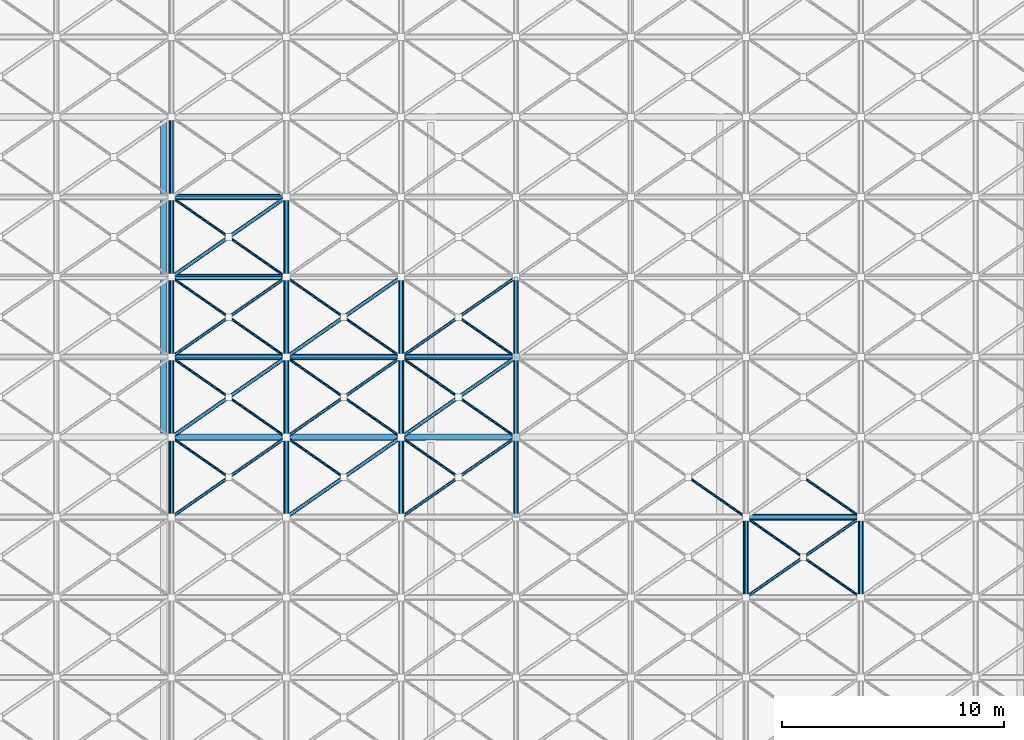
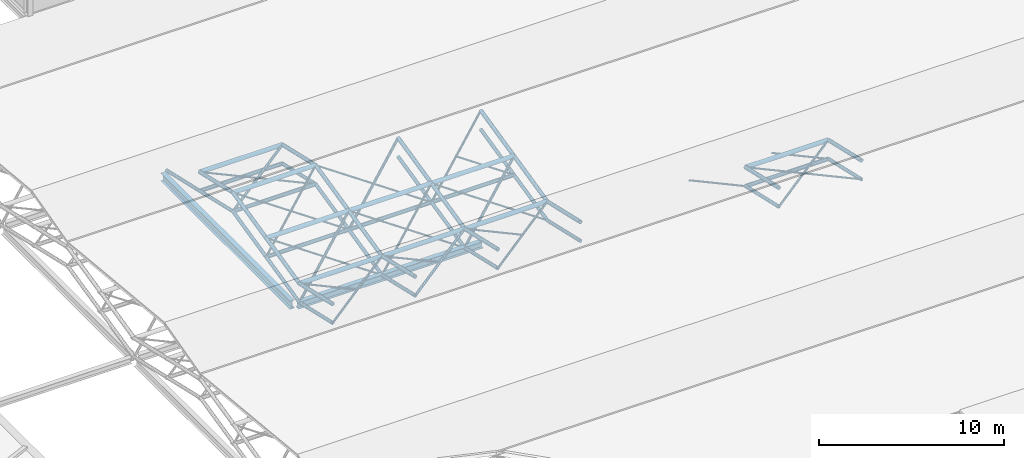
# One storey, part 40 of 110: 79 members, 2 beams.
"""IFC4 building model written with IfcOpenShell, lengths in metres."""

from ifc_helpers import new_model, si_unit, direction, frame, origin, origin_2d, place, context, subcontext, project, spatial, hollow_circle, i_section, extrude, material, material_profile, profile_set, type_object, element, save


model = new_model("IFC4")

# Units and contexts
model_context = context("Model", 3, precision=1e-05, world=origin(), true_north=direction((0.0, 1.0)))
body_context = subcontext(model_context, "Body", "Model", "MODEL_VIEW")
ifc_project = project(units=[si_unit("LENGTHUNIT", "METRE"), si_unit("AREAUNIT", "SQUARE_METRE"), si_unit("VOLUMEUNIT", "CUBIC_METRE"), si_unit("PLANEANGLEUNIT", "RADIAN"), si_unit("MASSUNIT", "GRAM", prefix="KILO")], contexts=[model_context])

# Site, building, storey
site_placement = place(None, origin())
site = spatial("IfcSite", under=ifc_project, at=site_placement, CompositionType="ELEMENT")
building_placement = place(site_placement, origin())
building = spatial("IfcBuilding", under=site, at=building_placement, Name="Tamarisk Ironworks Central Station", CompositionType="ELEMENT")
storey_placement = place(building_placement, frame((0.0, 0.0, 17.39990234375)))
storey = spatial("IfcBuildingStorey", under=building, at=storey_placement, Name="L03", CompositionType="ELEMENT", Elevation=17.39990234375)

# Beams
ifc_material_1 = material(Name="Structural steel S355J2", Category="steel")
ifc_material_profile_1 = material_profile(ifc_material_1, i_section(OverallWidth=0.300048828125, OverallDepth=0.5400390625, WebThickness=0.012451171875, FlangeThickness=0.02392578125, at=origin_2d()), Name="HEA 550")
ifc_profile_set_1 = profile_set([ifc_material_profile_1], Name="Structural steel S355J2")
beam_type_1 = type_object("IfcBeamType", Name="BM-G04", PredefinedType="BEAM", material=ifc_profile_set_1)
beam_1_placement = place(storey_placement, frame((128.0, 50.59130859375, -1.869873046875), z_axis=(0.0, 1.0, 0.0), x_axis=(-1.0, 0.0, 0.0)))
element("IfcBeam", 1, at=beam_1_placement, inside=storey, type_object=beam_type_1, Name="L03 primary girder Y-0612", PredefinedType="BEAM", context=body_context, shape_type="SweptSolid", body=[
    extrude(i_section(OverallWidth=0.300048828125, OverallDepth=0.5400390625, WebThickness=0.012451171875, FlangeThickness=0.02392578125, at=origin_2d()), origin(), (0.0, 0.0, 1.0), 14.017578125),
])
ifc_material_profile_2 = material_profile(ifc_material_1, i_section(OverallWidth=0.300048828125, OverallDepth=0.43994140625, WebThickness=0.011474609375, FlangeThickness=0.02099609375, at=origin_2d()), Name="HEA 450")
ifc_profile_set_2 = profile_set([ifc_material_profile_2], Name="Structural steel S355J2")
beam_type_2 = type_object("IfcBeamType", Name="BM-G06", PredefinedType="BEAM", material=ifc_profile_set_2)
beam_2_placement = place(storey_placement, frame((128.191162109375, 50.39990234375, -1.81982421875), z_axis=(1.0, 0.0, 0.0), x_axis=(0.0, 1.0, 0.0)))
element("IfcBeam", 2, at=beam_2_placement, inside=storey, type_object=beam_type_2, Name="L03 primary girder X-0563", PredefinedType="BEAM", context=body_context, shape_type="SweptSolid", body=[
    extrude(i_section(OverallWidth=0.300048828125, OverallDepth=0.43994140625, WebThickness=0.011474609375, FlangeThickness=0.02099609375, at=origin_2d()), origin(), (0.0, 0.0, 1.0), 11.56689453125),
])

# Members
ifc_material_2 = material(Name="Structural steel S355J2H", Category="steel")
ifc_material_profile_3 = material_profile(ifc_material_2, hollow_circle(Radius=0.136474609375, WallThickness=0.012451171875, at=origin_2d()), Name="CHS 273x12.5")
ifc_profile_set_3 = profile_set([ifc_material_profile_3], Name="Structural steel S355J2H")
member_type_1 = type_object("IfcMemberType", Name="MB-SFC01", PredefinedType="CHORD", material=ifc_profile_set_3)
member_1_placement = place(storey_placement, frame((154.166748046875, 46.800048828125, 0.35498046875), z_axis=(1.0, 0.0, 0.0), x_axis=(0.0, 1.0, 0.0)))
element("IfcMember", 3, at=member_1_placement, inside=storey, type_object=member_type_1, Name="Train shed space-frame top chord 1378", PredefinedType="CHORD", context=body_context, shape_type="SweptSolid", body=[
    extrude(hollow_circle(Radius=0.136474609375, WallThickness=0.012451171875, at=origin_2d()), origin(), (0.0, 0.0, 1.0), 5.16650390625),
])
for number, where, z_axis, x_axis, name in (
    (4, (128.333251953125, 50.39990234375, -0.469970703125), (1.0, 0.0, 0.0), (0.0, 1.0, 0.0), "Train shed space-frame top chord 1385"),
    (5, (133.5, 50.39990234375, -0.469970703125), (1.0, 0.0, 0.0), (0.0, 1.0, 0.0), "Train shed space-frame top chord 1386"),
):
    element("IfcMember", number, at=place(storey_placement, frame(where, z_axis=z_axis, x_axis=x_axis)), inside=storey, type_object=member_type_1, Name=name, PredefinedType="CHORD", context=body_context, shape_type="SweptSolid", body=[
        extrude(hollow_circle(Radius=0.136474609375, WallThickness=0.012451171875, at=origin_2d()), origin(), (0.0, 0.0, 1.0), 5.166748046875),
    ])
member_2_placement = place(storey_placement, frame((138.666748046875, 50.39990234375, -0.469970703125), z_axis=(1.0, 0.0, 0.0), x_axis=(0.0, 1.0, 0.0)))
element("IfcMember", 6, at=member_2_placement, inside=storey, type_object=member_type_1, Name="Train shed space-frame top chord 1387", PredefinedType="CHORD", context=body_context, shape_type="SweptSolid", body=[
    extrude(hollow_circle(Radius=0.136474609375, WallThickness=0.012451171875, at=origin_2d()), origin(), (0.0, 0.0, 1.0), 5.16650390625),
])
for number, where, z_axis, x_axis, name in (
    (7, (128.333251953125, 54.0, 0.35498046875), (1.0, 0.0, 0.0), (0.0, 1.0, 0.0), "Train shed space-frame top chord 1633"),
    (8, (133.5, 54.0, 0.35498046875), (1.0, 0.0, 0.0), (0.0, 1.0, 0.0), "Train shed space-frame top chord 1634"),
):
    element("IfcMember", number, at=place(storey_placement, frame(where, z_axis=z_axis, x_axis=x_axis)), inside=storey, type_object=member_type_1, Name=name, PredefinedType="CHORD", context=body_context, shape_type="SweptSolid", body=[
        extrude(hollow_circle(Radius=0.136474609375, WallThickness=0.012451171875, at=origin_2d()), origin(), (0.0, 0.0, 1.0), 5.166748046875),
    ])
member_3_placement = place(storey_placement, frame((138.666748046875, 54.0, 0.35498046875), z_axis=(1.0, 0.0, 0.0), x_axis=(0.0, 1.0, 0.0)))
element("IfcMember", 9, at=member_3_placement, inside=storey, type_object=member_type_1, Name="Train shed space-frame top chord 1635", PredefinedType="CHORD", context=body_context, shape_type="SweptSolid", body=[
    extrude(hollow_circle(Radius=0.136474609375, WallThickness=0.012451171875, at=origin_2d()), origin(), (0.0, 0.0, 1.0), 5.16650390625),
])
for number, where, z_axis, x_axis, name in (
    (10, (128.333251953125, 57.60009765625, 1.18017578125), (1.0, 0.0, 0.0), (0.0, 1.0, 0.0), "Train shed space-frame top chord 1645"),
    (11, (128.333251953125, 61.199951171875, 0.35498046875), (1.0, 0.0, 0.0), (0.0, 1.0, 0.0), "Train shed space-frame top chord 1657"),
):
    element("IfcMember", number, at=place(storey_placement, frame(where, z_axis=z_axis, x_axis=x_axis)), inside=storey, type_object=member_type_1, Name=name, PredefinedType="CHORD", context=body_context, shape_type="SweptSolid", body=[
        extrude(hollow_circle(Radius=0.136474609375, WallThickness=0.012451171875, at=origin_2d()), origin(), (0.0, 0.0, 1.0), 5.166748046875),
    ])
ifc_material_profile_4 = material_profile(ifc_material_2, hollow_circle(Radius=0.122314453125, WallThickness=0.012451171875, at=origin_2d()), Name="CHS 244.5x12.5")
ifc_profile_set_4 = profile_set([ifc_material_profile_4], Name="Structural steel S355J2H")
member_type_2 = type_object("IfcMemberType", Name="MB-SFC02", PredefinedType="CHORD", material=ifc_profile_set_4)
member_4_placement = place(storey_placement, frame((154.166748046875, 46.800048828125, -0.89501953125), z_axis=(1.0, 0.0, 0.0), x_axis=(0.0, 1.0, 0.0)))
element("IfcMember", 12, at=member_4_placement, inside=storey, type_object=member_type_2, Name="Train shed space-frame bottom chord 1290", PredefinedType="CHORD", context=body_context, shape_type="SweptSolid", body=[
    extrude(hollow_circle(Radius=0.122314453125, WallThickness=0.012451171875, at=origin_2d()), origin(), (0.0, 0.0, 1.0), 5.16650390625),
])
for number, where, z_axis, x_axis, name in (
    (13, (128.333251953125, 46.800048828125, 0.35498046875), (0.0, 0.974733218107, -0.223372230857), (-1.0, 0.0, 0.0), "Train shed space-frame top transverse chord 1406"),
    (14, (133.5, 46.800048828125, 0.35498046875), (0.0, 0.974733218107, -0.223372230857), (-1.0, 0.0, 0.0), "Train shed space-frame top transverse chord 1410"),
    (15, (138.666748046875, 46.800048828125, 0.35498046875), (0.0, 0.974733218107, -0.223372230857), (-1.0, 0.0, 0.0), "Train shed space-frame top transverse chord 1414"),
    (16, (143.833251953125, 46.800048828125, 0.35498046875), (0.0, 0.974733218107, -0.223372230857), (-1.0, 0.0, 0.0), "Train shed space-frame top transverse chord 1418"),
):
    element("IfcMember", number, at=place(storey_placement, frame(where, z_axis=z_axis, x_axis=x_axis)), inside=storey, type_object=member_type_2, Name=name, PredefinedType="CHORD", context=body_context, shape_type="SweptSolid", body=[
        extrude(hollow_circle(Radius=0.122314453125, WallThickness=0.012451171875, at=origin_2d()), origin(), (0.0, 0.0, 1.0), 3.693115234375),
    ])
for number, where, z_axis, x_axis, name in (
    (17, (154.166748046875, 43.199951171875, 1.18017578125), (0.0, 0.974722123001, -0.223420641241), (-1.0, 0.0, 0.0), "Train shed space-frame top transverse chord 1425"),
    (18, (159.333251953125, 43.199951171875, 1.18017578125), (0.0, 0.974722123001, -0.223420641241), (-1.0, 0.0, 0.0), "Train shed space-frame top transverse chord 1429"),
):
    element("IfcMember", number, at=place(storey_placement, frame(where, z_axis=z_axis, x_axis=x_axis)), inside=storey, type_object=member_type_2, Name=name, PredefinedType="CHORD", context=body_context, shape_type="SweptSolid", body=[
        extrude(hollow_circle(Radius=0.122314453125, WallThickness=0.012451171875, at=origin_2d()), origin(), (0.0, 0.0, 1.0), 3.693359375),
    ])
for number, where, z_axis, x_axis, name in (
    (19, (128.333251953125, 54.0, -0.89501953125), (1.0, 0.0, 0.0), (0.0, 1.0, 0.0), "Train shed space-frame bottom chord 1545"),
    (20, (133.5, 54.0, -0.89501953125), (1.0, 0.0, 0.0), (0.0, 1.0, 0.0), "Train shed space-frame bottom chord 1546"),
):
    element("IfcMember", number, at=place(storey_placement, frame(where, z_axis=z_axis, x_axis=x_axis)), inside=storey, type_object=member_type_2, Name=name, PredefinedType="CHORD", context=body_context, shape_type="SweptSolid", body=[
        extrude(hollow_circle(Radius=0.122314453125, WallThickness=0.012451171875, at=origin_2d()), origin(), (0.0, 0.0, 1.0), 5.166748046875),
    ])
member_5_placement = place(storey_placement, frame((138.666748046875, 54.0, -0.89501953125), z_axis=(1.0, 0.0, 0.0), x_axis=(0.0, 1.0, 0.0)))
element("IfcMember", 21, at=member_5_placement, inside=storey, type_object=member_type_2, Name="Train shed space-frame bottom chord 1547", PredefinedType="CHORD", context=body_context, shape_type="SweptSolid", body=[
    extrude(hollow_circle(Radius=0.122314453125, WallThickness=0.012451171875, at=origin_2d()), origin(), (0.0, 0.0, 1.0), 5.16650390625),
])
for number, where, z_axis, x_axis, name in (
    (22, (128.333251953125, 57.60009765625, -0.06982421875), (1.0, 0.0, 0.0), (0.0, 1.0, 0.0), "Train shed space-frame bottom chord 1557"),
    (23, (128.333251953125, 61.199951171875, -0.89501953125), (1.0, 0.0, 0.0), (0.0, 1.0, 0.0), "Train shed space-frame bottom chord 1569"),
):
    element("IfcMember", number, at=place(storey_placement, frame(where, z_axis=z_axis, x_axis=x_axis)), inside=storey, type_object=member_type_2, Name=name, PredefinedType="CHORD", context=body_context, shape_type="SweptSolid", body=[
        extrude(hollow_circle(Radius=0.122314453125, WallThickness=0.012451171875, at=origin_2d()), origin(), (0.0, 0.0, 1.0), 5.166748046875),
    ])
for number, where, z_axis, x_axis, name in (
    (24, (128.333251953125, 50.39990234375, -0.469970703125), (0.0, 0.974736516158, 0.223357838607), (-1.0, 0.0, 0.0), "Train shed space-frame top transverse chord 1687"),
    (25, (128.333251953125, 54.0, 0.35498046875), (0.0, 0.974722123001, 0.223420641241), (-1.0, 0.0, 0.0), "Train shed space-frame top transverse chord 1688"),
):
    element("IfcMember", number, at=place(storey_placement, frame(where, z_axis=z_axis, x_axis=x_axis)), inside=storey, type_object=member_type_2, Name=name, PredefinedType="CHORD", context=body_context, shape_type="SweptSolid", body=[
        extrude(hollow_circle(Radius=0.122314453125, WallThickness=0.012451171875, at=origin_2d()), origin(), (0.0, 0.0, 1.0), 3.693359375),
    ])
member_6_placement = place(storey_placement, frame((128.333251953125, 57.60009765625, 1.18017578125), z_axis=(0.0, 0.974718823144, -0.223435037113), x_axis=(-1.0, 0.0, 0.0)))
element("IfcMember", 26, at=member_6_placement, inside=storey, type_object=member_type_2, Name="Train shed space-frame top transverse chord 1689", PredefinedType="CHORD", context=body_context, shape_type="SweptSolid", body=[
    extrude(hollow_circle(Radius=0.122314453125, WallThickness=0.012451171875, at=origin_2d()), origin(), (0.0, 0.0, 1.0), 3.693115234375),
])
for number, where, z_axis, x_axis, name in (
    (27, (133.5, 50.39990234375, -0.469970703125), (0.0, 0.974736516158, 0.223357838607), (-1.0, 0.0, 0.0), "Train shed space-frame top transverse chord 1691"),
    (28, (133.5, 54.0, 0.35498046875), (0.0, 0.974722123001, 0.223420641241), (-1.0, 0.0, 0.0), "Train shed space-frame top transverse chord 1692"),
):
    element("IfcMember", number, at=place(storey_placement, frame(where, z_axis=z_axis, x_axis=x_axis)), inside=storey, type_object=member_type_2, Name=name, PredefinedType="CHORD", context=body_context, shape_type="SweptSolid", body=[
        extrude(hollow_circle(Radius=0.122314453125, WallThickness=0.012451171875, at=origin_2d()), origin(), (0.0, 0.0, 1.0), 3.693359375),
    ])
member_7_placement = place(storey_placement, frame((133.5, 57.60009765625, 1.18017578125), z_axis=(0.0, 0.974718823144, -0.223435037113), x_axis=(-1.0, 0.0, 0.0)))
element("IfcMember", 29, at=member_7_placement, inside=storey, type_object=member_type_2, Name="Train shed space-frame top transverse chord 1693", PredefinedType="CHORD", context=body_context, shape_type="SweptSolid", body=[
    extrude(hollow_circle(Radius=0.122314453125, WallThickness=0.012451171875, at=origin_2d()), origin(), (0.0, 0.0, 1.0), 3.693115234375),
])
for number, where, z_axis, x_axis, name in (
    (30, (138.666748046875, 50.39990234375, -0.469970703125), (0.0, 0.974736516158, 0.223357838607), (-1.0, 0.0, 0.0), "Train shed space-frame top transverse chord 1695"),
    (31, (138.666748046875, 54.0, 0.35498046875), (0.0, 0.974722123001, 0.223420641241), (-1.0, 0.0, 0.0), "Train shed space-frame top transverse chord 1696"),
    (32, (143.833251953125, 50.39990234375, -0.469970703125), (0.0, 0.974736516158, 0.223357838607), (-1.0, 0.0, 0.0), "Train shed space-frame top transverse chord 1699"),
    (33, (143.833251953125, 54.0, 0.35498046875), (0.0, 0.974722123001, 0.223420641241), (-1.0, 0.0, 0.0), "Train shed space-frame top transverse chord 1700"),
):
    element("IfcMember", number, at=place(storey_placement, frame(where, z_axis=z_axis, x_axis=x_axis)), inside=storey, type_object=member_type_2, Name=name, PredefinedType="CHORD", context=body_context, shape_type="SweptSolid", body=[
        extrude(hollow_circle(Radius=0.122314453125, WallThickness=0.012451171875, at=origin_2d()), origin(), (0.0, 0.0, 1.0), 3.693359375),
    ])
ifc_material_profile_5 = material_profile(ifc_material_2, hollow_circle(Radius=0.109619140625, WallThickness=0.010009765625, at=origin_2d()), Name="CHS 219.1x10")
ifc_profile_set_5 = profile_set([ifc_material_profile_5], Name="Structural steel S355J2H")
member_type_3 = type_object("IfcMemberType", Name="MB-SFC03", PredefinedType="CHORD", material=ifc_profile_set_5)
for number, where, z_axis, x_axis, name in (
    (34, (128.333251953125, 46.800048828125, -0.89501953125), (0.0, 0.974733218107, -0.223372230857), (-1.0, 0.0, 0.0), "Train shed space-frame transverse chord 1306"),
    (35, (133.5, 46.800048828125, -0.89501953125), (0.0, 0.974733218107, -0.223372230857), (-1.0, 0.0, 0.0), "Train shed space-frame transverse chord 1310"),
    (36, (138.666748046875, 46.800048828125, -0.89501953125), (0.0, 0.974733218107, -0.223372230857), (-1.0, 0.0, 0.0), "Train shed space-frame transverse chord 1314"),
    (37, (143.833251953125, 46.800048828125, -0.89501953125), (0.0, 0.974733218107, -0.223372230857), (-1.0, 0.0, 0.0), "Train shed space-frame transverse chord 1318"),
):
    element("IfcMember", number, at=place(storey_placement, frame(where, z_axis=z_axis, x_axis=x_axis)), inside=storey, type_object=member_type_3, Name=name, PredefinedType="CHORD", context=body_context, shape_type="SweptSolid", body=[
        extrude(hollow_circle(Radius=0.109619140625, WallThickness=0.010009765625, at=origin_2d()), origin(), (0.0, 0.0, 1.0), 3.693115234375),
    ])
for number, where, z_axis, x_axis, name in (
    (38, (154.166748046875, 43.199951171875, -0.06982421875), (0.0, 0.974722123001, -0.223420641241), (-1.0, 0.0, 0.0), "Train shed space-frame transverse chord 1325"),
    (39, (159.333251953125, 43.199951171875, -0.06982421875), (0.0, 0.974722123001, -0.223420641241), (-1.0, 0.0, 0.0), "Train shed space-frame transverse chord 1329"),
    (40, (128.333251953125, 50.39990234375, -1.719970703125), (0.0, 0.974736516158, 0.223357838607), (-1.0, 0.0, 0.0), "Train shed space-frame transverse chord 1587"),
    (41, (128.333251953125, 54.0, -0.89501953125), (0.0, 0.974722123001, 0.223420641241), (-1.0, 0.0, 0.0), "Train shed space-frame transverse chord 1588"),
):
    element("IfcMember", number, at=place(storey_placement, frame(where, z_axis=z_axis, x_axis=x_axis)), inside=storey, type_object=member_type_3, Name=name, PredefinedType="CHORD", context=body_context, shape_type="SweptSolid", body=[
        extrude(hollow_circle(Radius=0.109619140625, WallThickness=0.010009765625, at=origin_2d()), origin(), (0.0, 0.0, 1.0), 3.693359375),
    ])
member_8_placement = place(storey_placement, frame((128.333251953125, 57.60009765625, -0.06982421875), z_axis=(0.0, 0.974718823144, -0.223435037113), x_axis=(-1.0, 0.0, 0.0)))
element("IfcMember", 42, at=member_8_placement, inside=storey, type_object=member_type_3, Name="Train shed space-frame transverse chord 1589", PredefinedType="CHORD", context=body_context, shape_type="SweptSolid", body=[
    extrude(hollow_circle(Radius=0.109619140625, WallThickness=0.010009765625, at=origin_2d()), origin(), (0.0, 0.0, 1.0), 3.693115234375),
])
for number, where, z_axis, x_axis, name in (
    (43, (128.333251953125, 61.199951171875, -0.89501953125), (0.0, 0.974736516158, -0.223357838607), (-1.0, 0.0, 0.0), "Train shed space-frame transverse chord 1590"),
    (44, (133.5, 50.39990234375, -1.719970703125), (0.0, 0.974736516158, 0.223357838607), (-1.0, 0.0, 0.0), "Train shed space-frame transverse chord 1591"),
    (45, (133.5, 54.0, -0.89501953125), (0.0, 0.974722123001, 0.223420641241), (-1.0, 0.0, 0.0), "Train shed space-frame transverse chord 1592"),
):
    element("IfcMember", number, at=place(storey_placement, frame(where, z_axis=z_axis, x_axis=x_axis)), inside=storey, type_object=member_type_3, Name=name, PredefinedType="CHORD", context=body_context, shape_type="SweptSolid", body=[
        extrude(hollow_circle(Radius=0.109619140625, WallThickness=0.010009765625, at=origin_2d()), origin(), (0.0, 0.0, 1.0), 3.693359375),
    ])
member_9_placement = place(storey_placement, frame((133.5, 57.60009765625, -0.06982421875), z_axis=(0.0, 0.974718823144, -0.223435037113), x_axis=(-1.0, 0.0, 0.0)))
element("IfcMember", 46, at=member_9_placement, inside=storey, type_object=member_type_3, Name="Train shed space-frame transverse chord 1593", PredefinedType="CHORD", context=body_context, shape_type="SweptSolid", body=[
    extrude(hollow_circle(Radius=0.109619140625, WallThickness=0.010009765625, at=origin_2d()), origin(), (0.0, 0.0, 1.0), 3.693115234375),
])
for number, where, z_axis, x_axis, name in (
    (47, (138.666748046875, 50.39990234375, -1.719970703125), (0.0, 0.974736516158, 0.223357838607), (-1.0, 0.0, 0.0), "Train shed space-frame transverse chord 1595"),
    (48, (138.666748046875, 54.0, -0.89501953125), (0.0, 0.974722123001, 0.223420641241), (-1.0, 0.0, 0.0), "Train shed space-frame transverse chord 1596"),
    (49, (143.833251953125, 50.39990234375, -1.719970703125), (0.0, 0.974736516158, 0.223357838607), (-1.0, 0.0, 0.0), "Train shed space-frame transverse chord 1599"),
    (50, (143.833251953125, 54.0, -0.89501953125), (0.0, 0.974722123001, 0.223420641241), (-1.0, 0.0, 0.0), "Train shed space-frame transverse chord 1600"),
):
    element("IfcMember", number, at=place(storey_placement, frame(where, z_axis=z_axis, x_axis=x_axis)), inside=storey, type_object=member_type_3, Name=name, PredefinedType="CHORD", context=body_context, shape_type="SweptSolid", body=[
        extrude(hollow_circle(Radius=0.109619140625, WallThickness=0.010009765625, at=origin_2d()), origin(), (0.0, 0.0, 1.0), 3.693359375),
    ])
ifc_material_profile_6 = material_profile(ifc_material_2, hollow_circle(Radius=0.084228515625, WallThickness=0.010009765625, at=origin_2d()), Name="CHS 168.3x10")
ifc_profile_set_6 = profile_set([ifc_material_profile_6], Name="Structural steel S355J2H")
member_type_4 = type_object("IfcMemberType", Name="MB-SFD01", PredefinedType="BRACE", material=ifc_profile_set_6)
member_10_placement = place(storey_placement, frame((133.5, 46.800048828125, -0.89501953125), z_axis=(0.818625810636, 0.570365145671, 0.067345250499), x_axis=(-0.57166297408, 0.820488539875, 0.0)))
element("IfcMember", 51, at=member_10_placement, inside=storey, type_object=member_type_4, Name="Train shed space-frame diagonal 1477", PredefinedType="BRACE", context=body_context, shape_type="SweptSolid", body=[
    extrude(hollow_circle(Radius=0.084228515625, WallThickness=0.010009765625, at=origin_2d()), origin(), (0.0, 0.0, 1.0), 6.3115234375),
])
member_11_placement = place(storey_placement, frame((128.333251953125, 50.39990234375, -1.719970703125), z_axis=(0.77925836502, 0.542973295402, 0.312947920631), x_axis=(-0.571689073201, 0.82047035509, 0.0)))
element("IfcMember", 52, at=member_11_placement, inside=storey, type_object=member_type_4, Name="Train shed space-frame diagonal 1747", PredefinedType="BRACE", context=body_context, shape_type="SweptSolid", body=[
    extrude(hollow_circle(Radius=0.084228515625, WallThickness=0.010009765625, at=origin_2d()), origin(), (0.0, 0.0, 1.0), 6.63037109375),
])
member_12_placement = place(storey_placement, frame((128.333251953125, 57.60009765625, -0.06982421875), z_axis=(0.818627942589, 0.570366631076, 0.06730674385), x_axis=(-0.57166297408, 0.820488539875, 0.0)))
element("IfcMember", 53, at=member_12_placement, inside=storey, type_object=member_type_4, Name="Train shed space-frame diagonal 1751", PredefinedType="BRACE", context=body_context, shape_type="SweptSolid", body=[
    extrude(hollow_circle(Radius=0.084228515625, WallThickness=0.010009765625, at=origin_2d()), origin(), (0.0, 0.0, 1.0), 6.3115234375),
])
member_13_placement = place(storey_placement, frame((133.5, 54.0, -0.89501953125), z_axis=(0.779249385031, 0.542967038306, 0.312981135603), x_axis=(-0.571689073201, 0.82047035509, 0.0)))
element("IfcMember", 54, at=member_13_placement, inside=storey, type_object=member_type_4, Name="Train shed space-frame diagonal 1757", PredefinedType="BRACE", context=body_context, shape_type="SweptSolid", body=[
    extrude(hollow_circle(Radius=0.084228515625, WallThickness=0.010009765625, at=origin_2d()), origin(), (0.0, 0.0, 1.0), 6.63037109375),
])
member_14_placement = place(storey_placement, frame((138.666748046875, 50.39990234375, -1.719970703125), z_axis=(0.779243902426, 0.542988875587, 0.312956900421), x_axis=(-0.571707258436, 0.820457683645, 0.0)))
element("IfcMember", 55, at=member_14_placement, inside=storey, type_object=member_type_4, Name="Train shed space-frame diagonal 1763", PredefinedType="BRACE", context=body_context, shape_type="SweptSolid", body=[
    extrude(hollow_circle(Radius=0.084228515625, WallThickness=0.010009765625, at=origin_2d()), origin(), (0.0, 0.0, 1.0), 6.630126953125),
])
ifc_material_profile_7 = material_profile(ifc_material_2, hollow_circle(Radius=0.06982421875, WallThickness=0.008056640625, at=origin_2d()), Name="CHS 139.7x8")
ifc_profile_set_7 = profile_set([ifc_material_profile_7], Name="Structural steel S355J2H")
member_type_5 = type_object("IfcMemberType", Name="MB-SFD02", PredefinedType="BRACE", material=ifc_profile_set_7)
member_15_placement = place(storey_placement, frame((128.333251953125, 46.800048828125, -0.89501953125), z_axis=(0.818625810636, 0.570365145671, 0.067345250499), x_axis=(-0.57166297408, 0.820488539875, 0.0)))
element("IfcMember", 56, at=member_15_placement, inside=storey, type_object=member_type_5, Name="Train shed space-frame diagonal 1469", PredefinedType="BRACE", context=body_context, shape_type="SweptSolid", body=[
    extrude(hollow_circle(Radius=0.06982421875, WallThickness=0.008056640625, at=origin_2d()), origin(), (0.0, 0.0, 1.0), 6.3115234375),
])
member_16_placement = place(storey_placement, frame((138.666748046875, 46.800048828125, -0.89501953125), z_axis=(0.818613050724, 0.570383207302, 0.067347383107), x_axis=(-0.571681159291, 0.820475869305, 0.0)))
element("IfcMember", 57, at=member_16_placement, inside=storey, type_object=member_type_5, Name="Train shed space-frame diagonal 1485", PredefinedType="BRACE", context=body_context, shape_type="SweptSolid", body=[
    extrude(hollow_circle(Radius=0.06982421875, WallThickness=0.008056640625, at=origin_2d()), origin(), (0.0, 0.0, 1.0), 6.311279296875),
])
member_17_placement = place(storey_placement, frame((154.166748046875, 43.199951171875, -0.06982421875), z_axis=(0.81859712056, 0.570410790085, 0.067307390123), x_axis=(-0.571707258436, 0.820457683645, 0.0)))
element("IfcMember", 58, at=member_17_placement, inside=storey, type_object=member_type_5, Name="Train shed space-frame diagonal 1507", PredefinedType="BRACE", context=body_context, shape_type="SweptSolid", body=[
    extrude(hollow_circle(Radius=0.06982421875, WallThickness=0.008056640625, at=origin_2d()), origin(), (0.0, 0.0, 1.0), 6.3115234375),
])
for number, where, z_axis, x_axis, name in (
    (59, (128.333251953125, 54.0, -0.89501953125), (0.779249385031, 0.542967038306, 0.312981135603), (-0.571689073201, 0.82047035509, 0.0), "Train shed space-frame diagonal 1749"),
    (60, (133.5, 50.39990234375, -1.719970703125), (0.77925836502, 0.542973295402, 0.312947920631), (-0.571689073201, 0.82047035509, 0.0), "Train shed space-frame diagonal 1755"),
):
    element("IfcMember", number, at=place(storey_placement, frame(where, z_axis=z_axis, x_axis=x_axis)), inside=storey, type_object=member_type_5, Name=name, PredefinedType="BRACE", context=body_context, shape_type="SweptSolid", body=[
        extrude(hollow_circle(Radius=0.06982421875, WallThickness=0.008056640625, at=origin_2d()), origin(), (0.0, 0.0, 1.0), 6.63037109375),
    ])
member_18_placement = place(storey_placement, frame((138.666748046875, 54.0, -0.89501953125), z_axis=(0.779234922088, 0.542982617952, 0.31299011614), x_axis=(-0.571707258436, 0.820457683645, 0.0)))
element("IfcMember", 61, at=member_18_placement, inside=storey, type_object=member_type_5, Name="Train shed space-frame diagonal 1765", PredefinedType="BRACE", context=body_context, shape_type="SweptSolid", body=[
    extrude(hollow_circle(Radius=0.06982421875, WallThickness=0.008056640625, at=origin_2d()), origin(), (0.0, 0.0, 1.0), 6.630126953125),
])
ifc_material_profile_8 = material_profile(ifc_material_2, hollow_circle(Radius=0.05712890625, WallThickness=0.00634765625, at=origin_2d()), Name="CHS 114.3x6.3")
ifc_profile_set_8 = profile_set([ifc_material_profile_8], Name="Structural steel S355J2H")
member_type_6 = type_object("IfcMemberType", Name="MB-SFD03", PredefinedType="BRACE", material=ifc_profile_set_8)
for number, where, z_axis, x_axis, name in (
    (62, (130.87158203125, 48.63134765625, -0.6787109375), (-0.81862545828, 0.570368646704, 0.067319877544), (-0.571665501983, -0.820486778591, 0.0), "Train shed space-frame split counter-diagonal upper 1470"),
    (63, (136.038330078125, 48.63134765625, -0.6787109375), (-0.81862545828, 0.570368646704, 0.067319877544), (-0.571665501983, -0.820486778591, 0.0), "Train shed space-frame split counter-diagonal upper 1478"),
    (64, (141.205078125, 48.63134765625, -0.6787109375), (-0.81862545828, 0.570368646704, 0.067319877544), (-0.571665501983, -0.820486778591, 0.0), "Train shed space-frame split counter-diagonal upper 1486"),
    (65, (154.166748046875, 46.800048828125, -0.89501953125), (-0.818621116616, 0.570365621695, 0.067398256788), (-0.571665501983, -0.820486778591, 0.0), "Train shed space-frame split counter-diagonal lower 1502"),
    (66, (159.333251953125, 43.199951171875, -0.06982421875), (-0.81862545828, 0.570368646704, 0.067319877544), (-0.571665501983, -0.820486778591, 0.0), "Train shed space-frame split counter-diagonal lower 1508"),
    (67, (156.705078125, 45.031494140625, 0.146240234375), (-0.81862545828, 0.570368646704, 0.067319877544), (-0.571665501983, -0.820486778591, 0.0), "Train shed space-frame split counter-diagonal upper 1508"),
    (68, (159.333251953125, 46.800048828125, -0.89501953125), (-0.818621116616, 0.570365621695, 0.067398256788), (-0.571665501983, -0.820486778591, 0.0), "Train shed space-frame split counter-diagonal lower 1510"),
):
    element("IfcMember", number, at=place(storey_placement, frame(where, z_axis=z_axis, x_axis=x_axis)), inside=storey, type_object=member_type_6, Name=name, PredefinedType="BRACE", context=body_context, shape_type="SweptSolid", body=[
        extrude(hollow_circle(Radius=0.05712890625, WallThickness=0.00634765625, at=origin_2d()), origin(), (0.0, 0.0, 1.0), 3.100830078125),
    ])
for number, where, z_axis, x_axis, name in (
    (69, (133.5, 50.39990234375, -1.719970703125), (-0.779220271205, 0.543020296637, 0.312961221852), (-0.571741198525, -0.820434032637, 0.0), "Train shed space-frame split counter-diagonal lower 1748"),
    (70, (130.873779296875, 52.22998046875, -0.665283203125), (-0.779281371438, 0.542935800781, 0.31295568434), (-0.571651135352, -0.820496788203, 0.0), "Train shed space-frame split counter-diagonal upper 1748"),
    (71, (133.5, 54.0, -0.89501953125), (-0.779233692289, 0.542954759164, 0.313041502525), (-0.571688120068, -0.820471019216, 0.0), "Train shed space-frame split counter-diagonal lower 1750"),
):
    element("IfcMember", number, at=place(storey_placement, frame(where, z_axis=z_axis, x_axis=x_axis)), inside=storey, type_object=member_type_6, Name=name, PredefinedType="BRACE", context=body_context, shape_type="SweptSolid", body=[
        extrude(hollow_circle(Radius=0.05712890625, WallThickness=0.00634765625, at=origin_2d()), origin(), (0.0, 0.0, 1.0), 3.260009765625),
    ])
member_19_placement = place(storey_placement, frame((130.873779296875, 55.829833984375, 0.159912109375), z_axis=(-0.779249686219, 0.542988609915, 0.312942959707), x_axis=(-0.571704213709, -0.820459805248, 0.0)))
element("IfcMember", 72, at=member_19_placement, inside=storey, type_object=member_type_6, Name="Train shed space-frame split counter-diagonal upper 1750", PredefinedType="BRACE", context=body_context, shape_type="SweptSolid", body=[
    extrude(hollow_circle(Radius=0.05712890625, WallThickness=0.00634765625, at=origin_2d()), origin(), (0.0, 0.0, 1.0), 3.26025390625),
])
for number, where, z_axis, x_axis, name in (
    (73, (133.5, 57.60009765625, -0.06982421875), (-0.81862545828, 0.570368646704, 0.067319877544), (-0.571665501983, -0.820486778591, 0.0), "Train shed space-frame split counter-diagonal lower 1752"),
    (74, (130.87158203125, 59.431396484375, 0.146240234375), (-0.81862545828, 0.570368646704, 0.067319877544), (-0.571665501983, -0.820486778591, 0.0), "Train shed space-frame split counter-diagonal upper 1752"),
):
    element("IfcMember", number, at=place(storey_placement, frame(where, z_axis=z_axis, x_axis=x_axis)), inside=storey, type_object=member_type_6, Name=name, PredefinedType="BRACE", context=body_context, shape_type="SweptSolid", body=[
        extrude(hollow_circle(Radius=0.05712890625, WallThickness=0.00634765625, at=origin_2d()), origin(), (0.0, 0.0, 1.0), 3.100830078125),
    ])
member_20_placement = place(storey_placement, frame((138.666748046875, 50.39990234375, -1.719970703125), z_axis=(-0.779249686219, 0.542988609915, 0.312942959707), x_axis=(-0.571704213709, -0.820459805248, 0.0)))
element("IfcMember", 75, at=member_20_placement, inside=storey, type_object=member_type_6, Name="Train shed space-frame split counter-diagonal lower 1756", PredefinedType="BRACE", context=body_context, shape_type="SweptSolid", body=[
    extrude(hollow_circle(Radius=0.05712890625, WallThickness=0.00634765625, at=origin_2d()), origin(), (0.0, 0.0, 1.0), 3.26025390625),
])
member_21_placement = place(storey_placement, frame((136.040283203125, 52.22998046875, -0.665283203125), z_axis=(-0.779251958926, 0.542967486998, 0.312973948712), x_axis=(-0.571688120068, -0.820471019216, 0.0)))
element("IfcMember", 76, at=member_21_placement, inside=storey, type_object=member_type_6, Name="Train shed space-frame split counter-diagonal upper 1756", PredefinedType="BRACE", context=body_context, shape_type="SweptSolid", body=[
    extrude(hollow_circle(Radius=0.05712890625, WallThickness=0.00634765625, at=origin_2d()), origin(), (0.0, 0.0, 1.0), 3.260009765625),
])
member_22_placement = place(storey_placement, frame((138.666748046875, 54.0, -0.89501953125), z_axis=(-0.779263106243, 0.542923075174, 0.313023235066), x_axis=(-0.571651135352, -0.820496788203, 0.0)))
element("IfcMember", 77, at=member_22_placement, inside=storey, type_object=member_type_6, Name="Train shed space-frame split counter-diagonal lower 1758", PredefinedType="BRACE", context=body_context, shape_type="SweptSolid", body=[
    extrude(hollow_circle(Radius=0.05712890625, WallThickness=0.00634765625, at=origin_2d()), origin(), (0.0, 0.0, 1.0), 3.26025390625),
])
for number, where, z_axis, x_axis, name in (
    (78, (136.040283203125, 55.829833984375, 0.159912109375), (-0.779220271205, 0.543020296637, 0.312961221852), (-0.571741198525, -0.820434032637, 0.0), "Train shed space-frame split counter-diagonal upper 1758"),
    (79, (143.833251953125, 50.39990234375, -1.719970703125), (-0.779220271205, 0.543020296637, 0.312961221852), (-0.571741198525, -0.820434032637, 0.0), "Train shed space-frame split counter-diagonal lower 1764"),
    (80, (141.20703125, 52.22998046875, -0.665283203125), (-0.779251958926, 0.542967486998, 0.312973948712), (-0.571688120068, -0.820471019216, 0.0), "Train shed space-frame split counter-diagonal upper 1764"),
    (81, (143.833251953125, 54.0, -0.89501953125), (-0.779233692289, 0.542954759164, 0.313041502525), (-0.571688120068, -0.820471019216, 0.0), "Train shed space-frame split counter-diagonal lower 1766"),
):
    element("IfcMember", number, at=place(storey_placement, frame(where, z_axis=z_axis, x_axis=x_axis)), inside=storey, type_object=member_type_6, Name=name, PredefinedType="BRACE", context=body_context, shape_type="SweptSolid", body=[
        extrude(hollow_circle(Radius=0.05712890625, WallThickness=0.00634765625, at=origin_2d()), origin(), (0.0, 0.0, 1.0), 3.260009765625),
    ])

save(model, "model.ifc")
